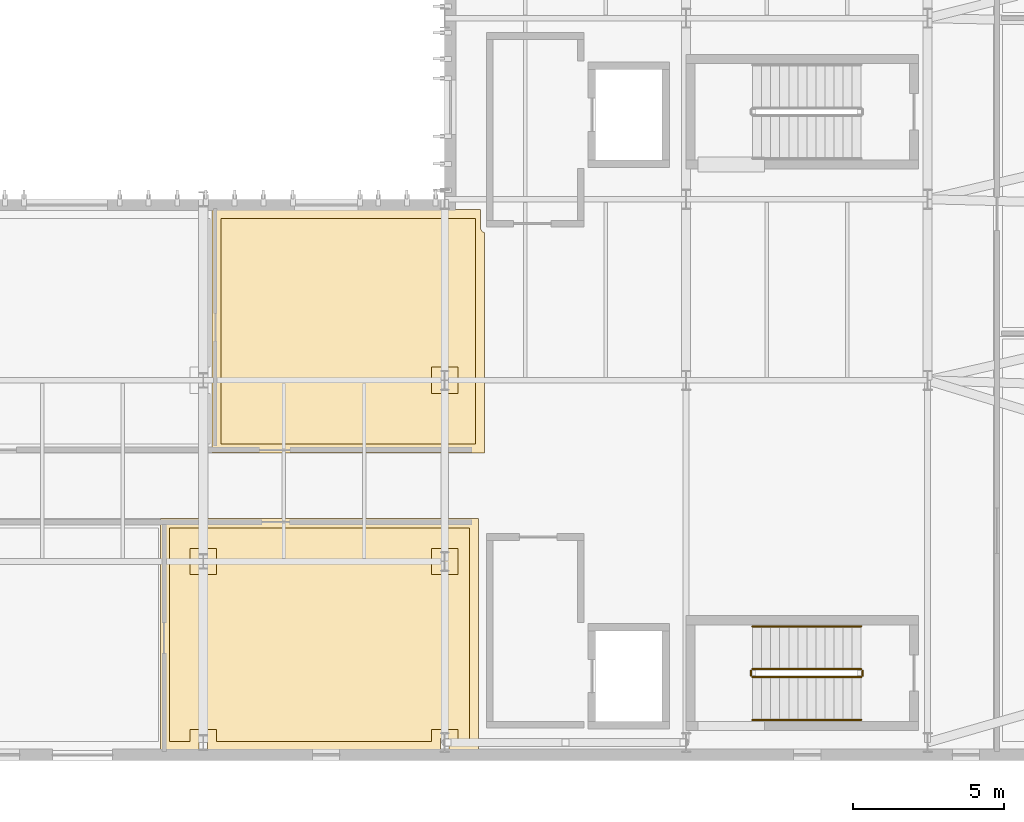
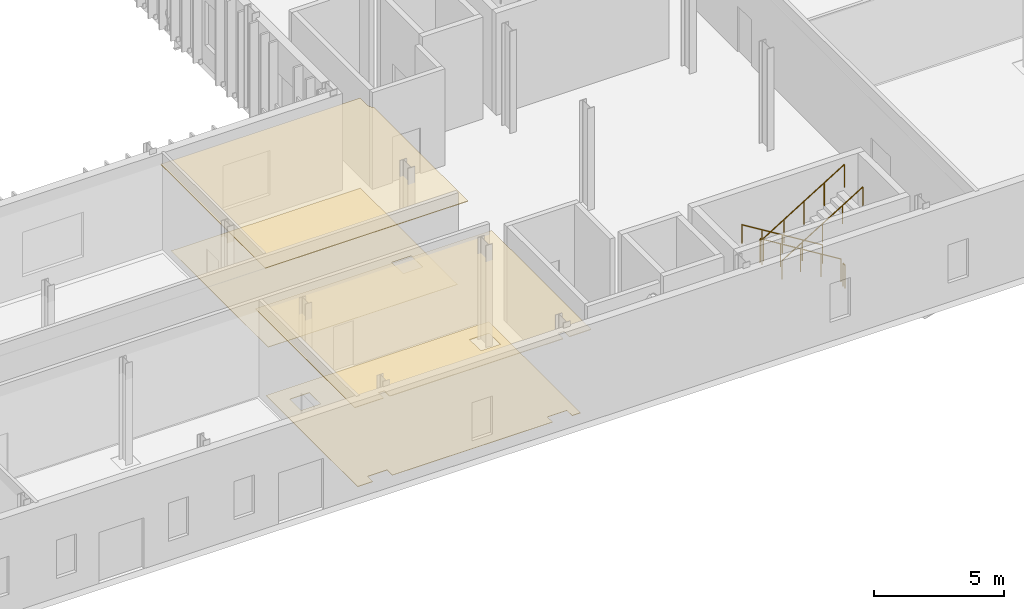
# One storey, part 57 of 60: 6 railings, 4 coverings.
"""IFC4 building model written with IfcOpenShell, lengths in metres."""

from ifc_helpers import new_model, si_unit, direction, frame, origin, origin_2d, place, context, subcontext, project, spatial, polyline, circle, outline, extrude, material, layer, layer_set, type_object, element, save


model = new_model("IFC4")

# Units and contexts
model_context = context("Model", 3, precision=1e-05, world=origin(), true_north=direction((0.0, 1.0)))
body_context = subcontext(model_context, "Body", "Model", "MODEL_VIEW")
ifc_project = project(units=[si_unit("LENGTHUNIT", "METRE"), si_unit("AREAUNIT", "SQUARE_METRE"), si_unit("VOLUMEUNIT", "CUBIC_METRE"), si_unit("PLANEANGLEUNIT", "RADIAN"), si_unit("MASSUNIT", "GRAM", prefix="KILO")], contexts=[model_context])

# Site, building, storey
site_placement = place(None, origin())
site = spatial("IfcSite", under=ifc_project, at=site_placement, CompositionType="ELEMENT")
building_placement = place(site_placement, origin())
building = spatial("IfcBuilding", under=site, at=building_placement, Name="Cymarion Research Institute", CompositionType="ELEMENT")
storey_placement = place(building_placement, origin())
storey = spatial("IfcBuildingStorey", under=building, at=storey_placement, Name="L00", CompositionType="ELEMENT", Elevation=0.0)

# Coverings
ifc_material_1 = material(Name="Micro-perforated mineral acoustic ceiling tile", Category="gypsum")
ifc_layer_1 = layer(ifc_material_1, 0.030029296875)
ifc_layer_set_1 = layer_set([ifc_layer_1], Name="Micro-perforated mineral acoustic ceiling tile")
covering_type_1 = type_object("IfcCoveringType", Name="ACOUSTIC MICRO-PERFORATED SUSPENDED CEILING CLG-01", PredefinedType="CEILING", material=ifc_layer_set_1)
covering_1_placement = place(storey_placement, frame((0.0, 0.0, 4.0)))
element("IfcCovering", 1, at=covering_1_placement, inside=storey, type_object=covering_type_1, Name="L00 L00 Accessible Staff Restroom and Shower acoustic ceiling", PredefinedType="CEILING", context=body_context, shape_type="SweptSolid", body=[
    extrude(outline(polyline([(139.715087890625, 12.9150390625), (139.715087890625, 5.235107421875), (138.735107421875, 5.235107421875), (138.735107421875, 5.635009765625), (138.465087890625, 5.635009765625), (138.465087890625, 5.235107421875), (130.735107421875, 5.235107421875), (130.735107421875, 5.635009765625), (130.465087890625, 5.635009765625), (130.465087890625, 5.235107421875), (129.18505859375, 5.235107421875), (129.18505859375, 12.9150390625), (139.715087890625, 12.9150390625)])), origin(), (0.0, 0.0, 1.0), 0.030029296875),
])
covering_2_placement = place(storey_placement, frame((0.0, 0.0, 4.0)))
element("IfcCovering", 2, at=covering_2_placement, inside=storey, type_object=covering_type_1, Name="L00 L00 Research Group Seminar & Data Review Room acoustic ceiling", PredefinedType="CEILING", context=body_context, shape_type="SweptSolid", body=[
    extrude(outline(polyline([(139.780029296875, 23.1650390625), (139.780029296875, 22.580078125), (139.781005859375, 22.560302734375), (139.78369140625, 22.541015625), (139.78857421875, 22.52197265625), (139.795166015625, 22.50341796875), (139.8037109375, 22.485595703125), (139.813720703125, 22.468994140625), (139.825439453125, 22.453125), (139.838623046875, 22.438720703125), (139.85302734375, 22.42529296875), (139.868896484375, 22.413818359375), (139.8857421875, 22.403564453125), (139.903564453125, 22.395263671875), (139.9150390625, 22.39111328125), (139.9150390625, 15.0849609375), (130.885009765625, 15.0849609375), (130.885009765625, 23.1650390625), (139.780029296875, 23.1650390625)])), origin(), (0.0, 0.0, 1.0), 0.030029296875),
])

# Railings
ifc_material_2 = material(Name="Steel S355", Category="steel")
railing_type_1 = type_object("IfcRailingType", Name="PAINTED STEEL STAIR GUARDRAIL GR1 1100MM", PredefinedType="GUARDRAIL", material=ifc_material_2)
railing_1_placement = place(storey_placement, frame((152.39990234375, 7.929931640625, 0.1845703125)))
element("IfcRailing", 3, at=railing_1_placement, inside=storey, type_object=railing_type_1, Name="L00 ST1 stair guard 1", PredefinedType="GUARDRAIL", context=body_context, shape_type="SweptSolid", body=[
    extrude(circle(Radius=0.02392578125, at=origin_2d()), frame((0.0, 0.0, 1.076171875), z_axis=(-0.851654350407, 0.0, 0.524103870844), x_axis=(0.0, -1.0, 0.0)), (0.0, 0.0, 1.0), 4.226806640625),
    extrude(circle(Radius=0.02099609375, at=origin_2d()), origin(), (0.0, 0.0, 1.0), 1.052001953125),
    extrude(circle(Radius=0.02099609375, at=origin_2d()), frame((-0.89990234375, 0.0, 0.5537109375)), (0.0, 0.0, 1.0), 1.052001953125),
    extrude(circle(Radius=0.02099609375, at=origin_2d()), frame((-1.7998046875, 0.0, 1.107666015625)), (0.0, 0.0, 1.0), 1.052001953125),
    extrude(circle(Radius=0.02099609375, at=origin_2d()), frame((-2.699951171875, 0.0, 1.66162109375)), (0.0, 0.0, 1.0), 1.052001953125),
    extrude(circle(Radius=0.02099609375, at=origin_2d()), frame((-3.599853515625, 0.0, 2.21533203125)), (0.0, 0.0, 1.0), 1.052001953125),
])
railing_2_placement = place(storey_placement, frame((148.75, 7.8798828125, 2.39990234375)))
element("IfcRailing", 4, at=railing_2_placement, inside=storey, type_object=railing_type_1, Name="L00 ST1 stair guard 2", PredefinedType="GUARDRAIL", context=body_context, shape_type="SweptSolid", body=[
    extrude(circle(Radius=0.02392578125, at=origin_2d()), frame((0.0, 0.0, 1.076171875), z_axis=(0.0, -1.0, 0.0), x_axis=(1.0, 0.0, 0.0)), (0.0, 0.0, 1.0), 0.159912109375),
    extrude(circle(Radius=0.02099609375, at=origin_2d()), origin(), (0.0, 0.0, 1.0), 1.052001953125),
    extrude(circle(Radius=0.02099609375, at=origin_2d()), frame((0.0, -0.159912109375, 0.0)), (0.0, 0.0, 1.0), 1.052001953125),
])
railing_3_placement = place(storey_placement, frame((148.800048828125, 7.669921875, 2.584716796875)))
element("IfcRailing", 5, at=railing_3_placement, inside=storey, type_object=railing_type_1, Name="L00 ST1 stair guard 3", PredefinedType="GUARDRAIL", context=body_context, shape_type="SweptSolid", body=[
    extrude(circle(Radius=0.02392578125, at=origin_2d()), frame((0.0, 0.0, 1.076171875), z_axis=(0.851654350407, 0.0, 0.524103870844), x_axis=(0.0, 1.0, 0.0)), (0.0, 0.0, 1.0), 4.226806640625),
    extrude(circle(Radius=0.02099609375, at=origin_2d()), origin(), (0.0, 0.0, 1.0), 1.052001953125),
    extrude(circle(Radius=0.02099609375, at=origin_2d()), frame((0.89990234375, 0.0, 0.5537109375)), (0.0, 0.0, 1.0), 1.052001953125),
    extrude(circle(Radius=0.02099609375, at=origin_2d()), frame((1.7998046875, 0.0, 1.107666015625)), (0.0, 0.0, 1.0), 1.052001953125),
    extrude(circle(Radius=0.02099609375, at=origin_2d()), frame((2.699951171875, 0.0, 1.66162109375)), (0.0, 0.0, 1.0), 1.052001953125),
    extrude(circle(Radius=0.02099609375, at=origin_2d()), frame((3.599853515625, 0.0, 2.21533203125)), (0.0, 0.0, 1.0), 1.052001953125),
])
railing_4_placement = place(storey_placement, frame((152.449951171875, 7.8798828125, 0.0)))
element("IfcRailing", 6, at=railing_4_placement, inside=storey, type_object=railing_type_1, Name="L00 ST1 stair guard 4", PredefinedType="GUARDRAIL", context=body_context, shape_type="SweptSolid", body=[
    extrude(circle(Radius=0.02392578125, at=origin_2d()), frame((0.0, 0.0, 1.076171875), z_axis=(0.0, -1.0, 0.0), x_axis=(1.0, 0.0, 0.0)), (0.0, 0.0, 1.0), 0.159912109375),
    extrude(circle(Radius=0.02099609375, at=origin_2d()), origin(), (0.0, 0.0, 1.0), 1.052001953125),
    extrude(circle(Radius=0.02099609375, at=origin_2d()), frame((0.0, -0.159912109375, 0.0)), (0.0, 0.0, 1.0), 1.052001953125),
])

# Coverings
ifc_material_3 = material(Name="Seamless dissipative epoxy resin flooring", Category="resin")
ifc_layer_2 = layer(ifc_material_3, 0.02001953125)
ifc_layer_set_2 = layer_set([ifc_layer_2], Name="Seamless dissipative epoxy resin flooring")
covering_type_2 = type_object("IfcCoveringType", Name="SEAMLESS ESD EPOXY LABORATORY FLOORING FLR-01", PredefinedType="FLOORING", material=ifc_layer_set_2)
covering_3_placement = place(storey_placement, origin())
element("IfcCovering", 7, at=covering_3_placement, inside=storey, type_object=covering_type_2, Name="L00 L00 Accessible Staff Restroom and Shower ESD epoxy flooring", PredefinedType="FLOORING", context=body_context, shape_type="SweptSolid", body=[
    extrude(outline(polyline([(129.485107421875, 12.614990234375), (139.4150390625, 12.614990234375), (139.4150390625, 5.534912109375), (139.034912109375, 5.534912109375), (139.034912109375, 5.93505859375), (138.1650390625, 5.93505859375), (138.1650390625, 5.534912109375), (131.034912109375, 5.534912109375), (131.034912109375, 5.93505859375), (130.1650390625, 5.93505859375), (130.1650390625, 5.534912109375), (129.485107421875, 5.534912109375), (129.485107421875, 12.614990234375)]), holes=[polyline([(139.034912109375, 11.93505859375), (138.1650390625, 11.93505859375), (138.1650390625, 11.06494140625), (139.034912109375, 11.06494140625), (139.034912109375, 11.93505859375)]), polyline([(131.034912109375, 11.93505859375), (130.1650390625, 11.93505859375), (130.1650390625, 11.06494140625), (131.034912109375, 11.06494140625), (131.034912109375, 11.93505859375)])]), origin(), (0.0, 0.0, 1.0), 0.02001953125),
])
covering_4_placement = place(storey_placement, origin())
element("IfcCovering", 8, at=covering_4_placement, inside=storey, type_object=covering_type_2, Name="L00 L00 Research Group Seminar & Data Review Room ESD epoxy flooring", PredefinedType="FLOORING", context=body_context, shape_type="SweptSolid", body=[
    extrude(outline(polyline([(131.18505859375, 22.864990234375), (139.614990234375, 22.864990234375), (139.614990234375, 15.385009765625), (131.18505859375, 15.385009765625), (131.18505859375, 22.864990234375)]), holes=[polyline([(139.034912109375, 17.93505859375), (138.1650390625, 17.93505859375), (138.1650390625, 17.06494140625), (139.034912109375, 17.06494140625), (139.034912109375, 17.93505859375)])]), origin(), (0.0, 0.0, 1.0), 0.02001953125),
])

# Railings
railing_type_2 = type_object("IfcRailingType", Name="STAINLESS STEEL STAIR HANDRAIL HR1 900MM", PredefinedType="HANDRAIL", material=ifc_material_2)
railing_5_placement = place(storey_placement, frame((152.39990234375, 9.35009765625, 0.1845703125)))
element("IfcRailing", 9, at=railing_5_placement, inside=storey, type_object=railing_type_2, Name="L00 ST1 stair handrail 1", PredefinedType="HANDRAIL", context=body_context, shape_type="SweptSolid", body=[
    extrude(circle(Radius=0.02392578125, at=origin_2d()), frame((0.0, 0.0, 0.8759765625), z_axis=(-0.851654350407, 0.0, 0.524103870844), x_axis=(0.0, -1.0, 0.0)), (0.0, 0.0, 1.0), 4.226806640625),
    extrude(circle(Radius=0.02099609375, at=origin_2d()), origin(), (0.0, 0.0, 1.0), 0.851806640625),
    extrude(circle(Radius=0.02099609375, at=origin_2d()), frame((-0.89990234375, 0.0, 0.5537109375)), (0.0, 0.0, 1.0), 0.851806640625),
    extrude(circle(Radius=0.02099609375, at=origin_2d()), frame((-1.7998046875, 0.0, 1.107666015625)), (0.0, 0.0, 1.0), 0.851806640625),
    extrude(circle(Radius=0.02099609375, at=origin_2d()), frame((-2.699951171875, 0.0, 1.66162109375)), (0.0, 0.0, 1.0), 0.851806640625),
    extrude(circle(Radius=0.02099609375, at=origin_2d()), frame((-3.599853515625, 0.0, 2.21533203125)), (0.0, 0.0, 1.0), 0.851806640625),
])
railing_6_placement = place(storey_placement, frame((148.800048828125, 6.25, 2.584716796875)))
element("IfcRailing", 10, at=railing_6_placement, inside=storey, type_object=railing_type_2, Name="L00 ST1 stair handrail 2", PredefinedType="HANDRAIL", context=body_context, shape_type="SweptSolid", body=[
    extrude(circle(Radius=0.02392578125, at=origin_2d()), frame((0.0, 0.0, 0.8759765625), z_axis=(0.851654350407, 0.0, 0.524103870844), x_axis=(0.0, 1.0, 0.0)), (0.0, 0.0, 1.0), 4.226806640625),
    extrude(circle(Radius=0.02099609375, at=origin_2d()), origin(), (0.0, 0.0, 1.0), 0.851806640625),
    extrude(circle(Radius=0.02099609375, at=origin_2d()), frame((0.89990234375, 0.0, 0.5537109375)), (0.0, 0.0, 1.0), 0.851806640625),
    extrude(circle(Radius=0.02099609375, at=origin_2d()), frame((1.7998046875, 0.0, 1.107666015625)), (0.0, 0.0, 1.0), 0.851806640625),
    extrude(circle(Radius=0.02099609375, at=origin_2d()), frame((2.699951171875, 0.0, 1.66162109375)), (0.0, 0.0, 1.0), 0.851806640625),
    extrude(circle(Radius=0.02099609375, at=origin_2d()), frame((3.599853515625, 0.0, 2.21533203125)), (0.0, 0.0, 1.0), 0.851806640625),
])

save(model, "model.ifc")
